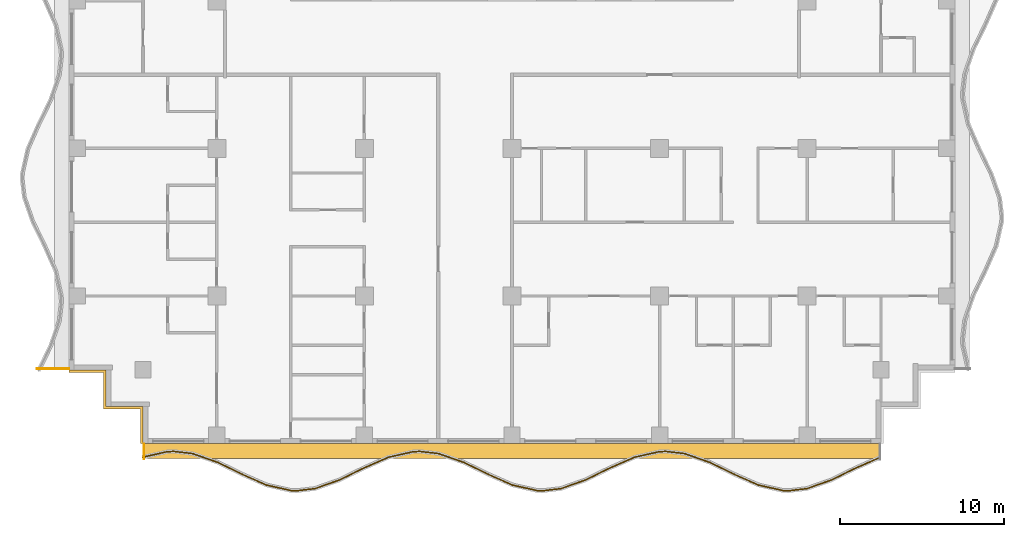
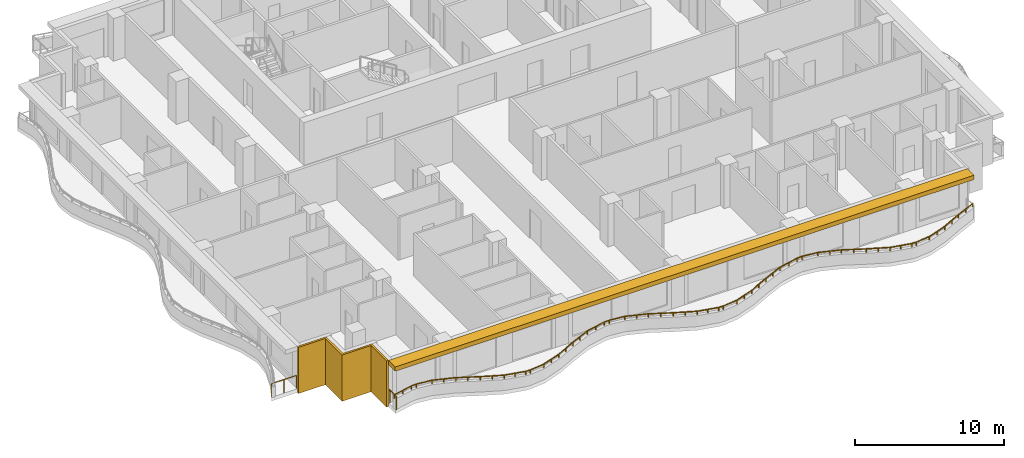
# One storey, part 8 of 11: 3 railings, 2 shading devices.
"""IFC4 building model written with IfcOpenShell, lengths in metres."""

import ifcopenshell
import ifcopenshell.guid

model = None  # the IFC model being written
_history = None  # IfcOwnerHistory: only IFC2X3 demands one
_inside = {}  # id of a spatial element -> (the spatial element, [elements in it])
_under = {}  # id of a project, library or spatial element -> (it, [spatial elements below it])
_declared = {}  # id of a project -> (the project, [libraries it declares])
_typed = {}  # id of a type object -> (the type object, [elements of that type])
_made_of = {}  # id of a material, layer set ... -> (it, [elements and type objects made of it])


def new_model(schema):
    """Start an empty IFC model of exactly this schema.

    Asked for "IFC4X3", IfcOpenShell would pick the latest addendum, in which some entities
    have other attributes; the version numbers below select the first issue.
    IFC2X3 requires an IfcOwnerHistory on every rooted entity: one is made here for all.
    """
    global model, _history
    if schema == "IFC4X3":
        model = ifcopenshell.file(schema_version=(4, 3, 0, 0))
    else:
        model = ifcopenshell.file(schema=schema)
    _inside.clear()
    _under.clear()
    _declared.clear()
    _typed.clear()
    _made_of.clear()
    _history = None
    if model.schema == "IFC2X3":
        org = make("IfcOrganization", Name="unknown")
        user = make(
            "IfcPersonAndOrganization",
            ThePerson=make("IfcPerson", FamilyName="unknown"),
            TheOrganization=org,
        )
        app = make(
            "IfcApplication",
            ApplicationDeveloper=org,
            Version="unknown",
            ApplicationFullName="unknown",
            ApplicationIdentifier="unknown",
        )
        _history = make(
            "IfcOwnerHistory",
            OwningUser=user,
            OwningApplication=app,
            ChangeAction="ADDED",
            CreationDate=0,
        )
    return model


def make(cls, **values):
    """One entity of the class cls with the attributes given. An attribute that is None is left unset."""
    return model.create_entity(
        cls, **{name: value for name, value in values.items() if value is not None}
    )


def rooted(cls, **values):
    """An entity with a GlobalId (a new one), such as an element, a storey or a relation."""
    return make(cls, GlobalId=ifcopenshell.guid.new(), OwnerHistory=_history, **values)


def si_unit(unit_type, name, prefix=None):
    """IfcSIUnit, for example si_unit("LENGTHUNIT", "METRE", prefix="MILLI")."""
    return make("IfcSIUnit", UnitType=unit_type, Prefix=prefix, Name=name)


def assignment(units):
    """IfcUnitAssignment: the units of a project."""
    return None if units is None else make("IfcUnitAssignment", Units=units)


def point(xyz):
    """IfcCartesianPoint."""
    return None if xyz is None else make("IfcCartesianPoint", Coordinates=xyz)


def direction(xyz):
    """IfcDirection."""
    return None if xyz is None else make("IfcDirection", DirectionRatios=xyz)


def frame(location, z_axis=None, x_axis=None):
    """IfcAxis2Placement3D, a coordinate frame: its origin and axes. An axis left out is left unset."""
    return make(
        "IfcAxis2Placement3D",
        Location=point(location),
        Axis=direction(z_axis),
        RefDirection=direction(x_axis),
    )


def frame_2d(location, x_axis=None):
    """IfcAxis2Placement2D, a coordinate frame in the plane: its origin and x axis."""
    return make(
        "IfcAxis2Placement2D", Location=point(location), RefDirection=direction(x_axis)
    )


def origin():
    """The frame at (0, 0, 0) with its axes left unset."""
    return frame((0.0, 0.0, 0.0))


def origin_2d():
    """The frame at (0, 0) in the plane with its x axis left unset."""
    return frame_2d((0.0, 0.0))


def place(relative_to, where):
    """IfcLocalPlacement: puts the frame where relative to a parent placement (None: the world)."""
    return make(
        "IfcLocalPlacement", PlacementRelTo=relative_to, RelativePlacement=where
    )


def context(
    kind, dimensions, precision=None, world=None, true_north=None, identifier=None
):
    """IfcGeometricRepresentationContext, for example the 3D "Model" context."""
    return make(
        "IfcGeometricRepresentationContext",
        ContextIdentifier=identifier,
        ContextType=kind,
        CoordinateSpaceDimension=dimensions,
        Precision=precision,
        WorldCoordinateSystem=world,
        TrueNorth=true_north,
    )


def subcontext(parent, identifier, kind, view, scale=None):
    """IfcGeometricRepresentationSubContext, for example "Body" below "Model"."""
    return make(
        "IfcGeometricRepresentationSubContext",
        ContextIdentifier=identifier,
        ContextType=kind,
        ParentContext=parent,
        TargetScale=scale,
        TargetView=view,
    )


def project(units=None, contexts=None):
    """IfcProject with its units and contexts."""
    return rooted(
        "IfcProject",
        Name="project",
        RepresentationContexts=contexts,
        UnitsInContext=assignment(units),
    )


def spatial(cls, under=None, at=None, **own):
    """A site, building, storey or space (cls), placed at a placement, below another one or the project."""
    s = rooted(cls, ObjectPlacement=at, **own)
    if under is not None:
        _under.setdefault(under.id(), (under, []))[1].append(s)
    return s


def polyline(points):
    """IfcPolyline through the points."""
    return make("IfcPolyline", Points=[point(p) for p in points])


def profile(cls, at=None, kind="AREA", **sizes):
    """A parametric profile (cls). Its sizes go by their IFC names, for example OverallWidth=200.0."""
    return make(cls, ProfileType=kind, Position=at, **sizes)


def rectangle(**sizes):
    """IfcRectangleProfileDef."""
    return profile("IfcRectangleProfileDef", **sizes)


def outline(outer, holes=None, kind="AREA"):
    """IfcArbitraryClosedProfileDef: a profile drawn as a closed curve; with holes, ...WithVoids."""
    if holes is None:
        return make("IfcArbitraryClosedProfileDef", ProfileType=kind, OuterCurve=outer)
    return make(
        "IfcArbitraryProfileDefWithVoids",
        ProfileType=kind,
        OuterCurve=outer,
        InnerCurves=holes,
    )


def extrude(swept, where, along, depth):
    """IfcExtrudedAreaSolid: the profile swept, set in the frame where, extruded along a direction by depth."""
    return make(
        "IfcExtrudedAreaSolid",
        SweptArea=swept,
        Position=where,
        ExtrudedDirection=direction(along),
        Depth=depth,
    )


def shape(context_of_items, identifier, shape_type, items):
    """IfcShapeRepresentation: the items that make up one representation, for example the "Body"."""
    return make(
        "IfcShapeRepresentation",
        ContextOfItems=context_of_items,
        RepresentationIdentifier=identifier,
        RepresentationType=shape_type,
        Items=items,
    )


def material(Name=None, Category=None):
    """IfcMaterial."""
    return make("IfcMaterial", Name=Name, Category=Category)


def layer(
    of_material, thickness, ventilated=None, Name=None, Category=None, Priority=None
):
    """IfcMaterialLayer: one layer of a wall or slab, of a material (None: an air gap)."""
    return make(
        "IfcMaterialLayer",
        Material=of_material,
        LayerThickness=thickness,
        IsVentilated=ventilated,
        Name=Name,
        Category=Category,
        Priority=Priority,
    )


def layer_set(layers, Name=None):
    """IfcMaterialLayerSet."""
    return make("IfcMaterialLayerSet", MaterialLayers=layers, LayerSetName=Name)


def made_of(thing, what):
    """Note that an element or type object is made of a material, layer set ...; save() writes the relation."""
    if what is not None:
        _made_of.setdefault(what.id(), (what, []))[1].append(thing)
    return thing


def type_object(cls, material=None, **own):
    """A type object (cls), such as IfcWallType, which elements share."""
    return made_of(rooted(cls, **own), material)


def element(
    cls,
    number,
    at=None,
    inside=None,
    cuts=None,
    type_object=None,
    material=None,
    context=None,
    identifier="Body",
    shape_type=None,
    held_by="IfcProductDefinitionShape",
    body=None,
    shapes=None,
    **own,
):
    """One element of the class cls, such as IfcWall. Its Tag is "e" and its number.

    at: its placement. inside: the storey or other place that contains it. cuts: it is an
    opening in that element (IfcRelVoidsElement). A single representation is given by context,
    identifier, shape_type and body (its items); several are given by shapes. held_by: the class
    of the entity that holds the representations. save() writes the other relations.
    """
    e = rooted(cls, Tag="e%d" % number, ObjectPlacement=at, **own)
    if body is not None:
        shapes = [shape(context, identifier, shape_type, body)]
    if shapes is not None:
        e.Representation = make(held_by, Representations=shapes)
    if inside is not None:
        _inside.setdefault(inside.id(), (inside, []))[1].append(e)
    if cuts is not None:
        rooted(
            "IfcRelVoidsElement", RelatingBuildingElement=cuts, RelatedOpeningElement=e
        )
    if type_object is not None:
        _typed.setdefault(type_object.id(), (type_object, []))[1].append(e)
    return made_of(e, material)


def aggregate(whole, parts):
    """IfcRelAggregates: a whole, such as a stair, and the parts it consists of."""
    return rooted("IfcRelAggregates", RelatingObject=whole, RelatedObjects=parts)


def save(model, path):
    """Write the relations noted so far, then the file.

    IfcRelAggregates (storeys below a building ...), IfcRelContainedInSpatialStructure (elements
    in a storey), IfcRelDefinesByType, IfcRelAssociatesMaterial and IfcRelDeclares: one each for
    every whole, place, type object, material and project.
    """
    for whole, parts in _under.values():
        aggregate(whole, parts)
    for where, things in _inside.values():
        rooted(
            "IfcRelContainedInSpatialStructure",
            RelatedElements=things,
            RelatingStructure=where,
        )
    for kind, things in _typed.values():
        rooted("IfcRelDefinesByType", RelatedObjects=things, RelatingType=kind)
    for what, things in _made_of.values():
        rooted("IfcRelAssociatesMaterial", RelatedObjects=things, RelatingMaterial=what)
    for by, libraries in _declared.values():
        rooted("IfcRelDeclares", RelatingContext=by, RelatedDefinitions=libraries)
    model.write(path)


model = new_model("IFC4")

# Units and contexts
model_context = context("Model", 3, precision=1e-05, world=origin(), true_north=direction((0.0, 1.0)))
body_context = subcontext(model_context, "Body", "Model", "MODEL_VIEW")
ifc_project = project(units=[si_unit("LENGTHUNIT", "METRE"), si_unit("AREAUNIT", "SQUARE_METRE"), si_unit("VOLUMEUNIT", "CUBIC_METRE"), si_unit("PLANEANGLEUNIT", "RADIAN"), si_unit("MASSUNIT", "GRAM", prefix="KILO")], contexts=[model_context])

# Site, building, storey
site_placement = place(None, origin())
site = spatial("IfcSite", under=ifc_project, at=site_placement, CompositionType="ELEMENT")
building_placement = place(site_placement, origin())
building = spatial("IfcBuilding", under=site, at=building_placement, Name="Orbiselva Terraces", CompositionType="ELEMENT")
storey_placement = place(building_placement, frame((0.0, 0.0, 199.6)))
storey = spatial("IfcBuildingStorey", under=building, at=storey_placement, Name="L50", CompositionType="ELEMENT", Elevation=199.6)

# Railings
ifc_material_1 = material(Name="Bonded two-ply safety glass balustrade, stainless steel posts", Category="steel")
railing_type_1 = type_object("IfcRailingType", Name="ENV-BALUSTRADE-1200", PredefinedType="BALUSTRADE", material=ifc_material_1)
railing_1_placement = place(storey_placement, frame((-22.527377, -23.329507, 0.9)))
element("IfcRailing", 1, at=railing_1_placement, inside=storey, type_object=railing_type_1, Name="Balcony balustrade L50 S", PredefinedType="BALUSTRADE", context=body_context, shape_type="SweptSolid", body=[
    extrude(outline(polyline([(0.028868, 0.0), (0.014434, 0.025), (-0.014434, 0.025), (-0.028868, 0.0), (-0.014434, -0.025), (0.014434, -0.025), (0.028868, 0.0)])), frame((0.0, 0.0, 0.275), z_axis=(0.97572138316, 0.219015484484, 0.0), x_axis=(-0.219015484484, 0.97572138316, 0.0)), (0.0, 0.0, 1.0), 1.548694),
    extrude(outline(polyline([(0.028868, 0.0), (0.014434, 0.025), (-0.014434, 0.025), (-0.028868, 0.0), (-0.014434, -0.025), (0.014434, -0.025), (0.028868, 0.0)])), frame((1.511094, 0.339188, 0.275), z_axis=(0.999224734286, 0.03936915532, 0.0), x_axis=(-0.03936915532, 0.999224734286, 0.0)), (0.0, 0.0, 1.0), 0.396376),
    extrude(outline(polyline([(0.028868, 0.0), (0.014434, 0.025), (-0.014434, 0.025), (-0.028868, 0.0), (-0.014434, -0.025), (0.014434, -0.025), (0.028868, 0.0)])), frame((1.907163, 0.354793, 0.275), z_axis=(0.993309551734, -0.115482182324, 0.0), x_axis=(0.115482182324, 0.993309551734, 0.0)), (0.0, 0.0, 1.0), 1.156135),
    extrude(outline(polyline([(0.028868, 0.0), (0.014434, 0.025), (-0.014434, 0.025), (-0.028868, 0.0), (-0.014434, -0.025), (0.014434, -0.025), (0.028868, 0.0)])), frame((3.055563, 0.22128, 0.275), z_axis=(0.943972332783, -0.330024597479, 0.0), x_axis=(0.330024597479, 0.943972332783, 0.0)), (0.0, 0.0, 1.0), 1.610253),
    extrude(outline(polyline([(0.028868, 0.0), (0.014434, 0.025), (-0.014434, 0.025), (-0.028868, 0.0), (-0.014434, -0.025), (0.014434, -0.025), (0.028868, 0.0)])), frame((4.575597, -0.310143, 0.275), z_axis=(0.898578870221, -0.438812048596, 0.0), x_axis=(0.438812048596, 0.898578870221, 0.0)), (0.0, 0.0, 1.0), 1.674225),
    extrude(outline(polyline([(0.028868, 0.0), (0.014434, 0.025), (-0.014434, 0.025), (-0.028868, 0.0), (-0.014434, -0.025), (0.014434, -0.025), (0.028868, 0.0)])), frame((6.08002, -1.044813, 0.275), z_axis=(0.915133363686, -0.403151245402, 0.0), x_axis=(0.403151245402, 0.915133363686, 0.0)), (0.0, 0.0, 1.0), 1.624475),
    extrude(outline(polyline([(0.028868, 0.0), (0.014434, 0.025), (-0.014434, 0.025), (-0.028868, 0.0), (-0.014434, -0.025), (0.014434, -0.025), (0.028868, 0.0)])), frame((7.566631, -1.699722, 0.275), z_axis=(0.975721325753, -0.219015740235, 0.0), x_axis=(0.219015740235, 0.975721325753, 0.0)), (0.0, 0.0, 1.0), 1.513782),
    extrude(outline(polyline([(0.028868, 0.0), (0.014434, 0.025), (-0.014434, 0.025), (-0.028868, 0.0), (-0.014434, -0.025), (0.014434, -0.025), (0.028868, 0.0)])), frame((9.04366, -2.031264, 0.275), z_axis=(0.999224931454, -0.039364150694, 0.0), x_axis=(0.039364150694, 0.999224931454, 0.0)), (0.0, 0.0, 1.0), 0.354206),
    extrude(outline(polyline([(0.028868, 0.0), (0.014434, 0.025), (-0.014434, 0.025), (-0.028868, 0.0), (-0.014434, -0.025), (0.014434, -0.025), (0.028868, 0.0)])), frame((9.397591, -2.045207, 0.275), z_axis=(0.993309658409, 0.115481264762, 0.0), x_axis=(-0.115481264762, 0.993309658409, 0.0)), (0.0, 0.0, 1.0), 1.10902),
    extrude(outline(polyline([(0.028868, 0.0), (0.014434, 0.025), (-0.014434, 0.025), (-0.028868, 0.0), (-0.014434, -0.025), (0.014434, -0.025), (0.028868, 0.0)])), frame((10.499191, -1.917136, 0.275), z_axis=(0.943972277814, 0.330024754707, 0.0), x_axis=(-0.330024754707, 0.943972277814, 0.0)), (0.0, 0.0, 1.0), 1.567807),
    extrude(outline(polyline([(0.028868, 0.0), (0.014434, 0.025), (-0.014434, 0.025), (-0.028868, 0.0), (-0.014434, -0.025), (0.014434, -0.025), (0.028868, 0.0)])), frame((11.979157, -1.399721, 0.275), z_axis=(0.89857890432, 0.438811978768, 0.0), x_axis=(-0.438811978768, 0.89857890432, 0.0)), (0.0, 0.0, 1.0), 1.66438),
    extrude(outline(polyline([(0.028868, 0.0), (0.014434, 0.025), (-0.014434, 0.025), (-0.028868, 0.0), (-0.014434, -0.025), (0.014434, -0.025), (0.028868, 0.0)])), frame((13.474734, -0.669371, 0.275), z_axis=(0.915133527237, 0.403150874148, 0.0), x_axis=(-0.403150874148, 0.915133527237, 0.0)), (0.0, 0.0, 1.0), 1.653736),
    extrude(outline(polyline([(0.028868, 0.0), (0.014434, 0.025), (-0.014434, 0.025), (-0.028868, 0.0), (-0.014434, -0.025), (0.014434, -0.025), (0.028868, 0.0)])), frame((14.988123, -0.002666, 0.275), z_axis=(0.97572137947, 0.219015500924, 0.0), x_axis=(-0.219015500924, 0.97572137947, 0.0)), (0.0, 0.0, 1.0), 1.560867),
    extrude(outline(polyline([(0.028868, 0.0), (0.014434, 0.025), (-0.014434, 0.025), (-0.028868, 0.0), (-0.014434, -0.025), (0.014434, -0.025), (0.028868, 0.0)])), frame((16.511094, 0.339188, 0.275), z_axis=(0.999224734286, 0.03936915532, 0.0), x_axis=(-0.03936915532, 0.999224734286, 0.0)), (0.0, 0.0, 1.0), 0.396376),
    extrude(outline(polyline([(0.028868, 0.0), (0.014434, 0.025), (-0.014434, 0.025), (-0.028868, 0.0), (-0.014434, -0.025), (0.014434, -0.025), (0.028868, 0.0)])), frame((16.907163, 0.354793, 0.275), z_axis=(0.993309551734, -0.115482182324, 0.0), x_axis=(0.115482182324, 0.993309551734, 0.0)), (0.0, 0.0, 1.0), 1.156135),
    extrude(outline(polyline([(0.028868, 0.0), (0.014434, 0.025), (-0.014434, 0.025), (-0.028868, 0.0), (-0.014434, -0.025), (0.014434, -0.025), (0.028868, 0.0)])), frame((18.055563, 0.22128, 0.275), z_axis=(0.943972332783, -0.330024597479, 0.0), x_axis=(0.330024597479, 0.943972332783, 0.0)), (0.0, 0.0, 1.0), 1.610253),
    extrude(outline(polyline([(0.028868, 0.0), (0.014434, 0.025), (-0.014434, 0.025), (-0.028868, 0.0), (-0.014434, -0.025), (0.014434, -0.025), (0.028868, 0.0)])), frame((19.575597, -0.310143, 0.275), z_axis=(0.898578870221, -0.438812048596, 0.0), x_axis=(0.438812048596, 0.898578870221, 0.0)), (0.0, 0.0, 1.0), 1.674225),
    extrude(outline(polyline([(0.028868, 0.0), (0.014434, 0.025), (-0.014434, 0.025), (-0.028868, 0.0), (-0.014434, -0.025), (0.014434, -0.025), (0.028868, 0.0)])), frame((21.08002, -1.044813, 0.275), z_axis=(0.915133363686, -0.403151245402, 0.0), x_axis=(0.403151245402, 0.915133363686, 0.0)), (0.0, 0.0, 1.0), 1.624475),
    extrude(outline(polyline([(0.028868, 0.0), (0.014434, 0.025), (-0.014434, 0.025), (-0.028868, 0.0), (-0.014434, -0.025), (0.014434, -0.025), (0.028868, 0.0)])), frame((22.566631, -1.699722, 0.275), z_axis=(0.975721325753, -0.219015740235, 0.0), x_axis=(0.219015740235, 0.975721325753, 0.0)), (0.0, 0.0, 1.0), 1.513782),
    extrude(outline(polyline([(0.028868, 0.0), (0.014434, 0.025), (-0.014434, 0.025), (-0.028868, 0.0), (-0.014434, -0.025), (0.014434, -0.025), (0.028868, 0.0)])), frame((24.04366, -2.031264, 0.275), z_axis=(0.999224931454, -0.039364150694, 0.0), x_axis=(0.039364150694, 0.999224931454, 0.0)), (0.0, 0.0, 1.0), 0.354206),
    extrude(outline(polyline([(0.028868, 0.0), (0.014434, 0.025), (-0.014434, 0.025), (-0.028868, 0.0), (-0.014434, -0.025), (0.014434, -0.025), (0.028868, 0.0)])), frame((24.397591, -2.045207, 0.275), z_axis=(0.993309658409, 0.115481264762, 0.0), x_axis=(-0.115481264762, 0.993309658409, 0.0)), (0.0, 0.0, 1.0), 1.10902),
    extrude(outline(polyline([(0.028868, 0.0), (0.014434, 0.025), (-0.014434, 0.025), (-0.028868, 0.0), (-0.014434, -0.025), (0.014434, -0.025), (0.028868, 0.0)])), frame((25.499191, -1.917136, 0.275), z_axis=(0.943972277814, 0.330024754707, 0.0), x_axis=(-0.330024754707, 0.943972277814, 0.0)), (0.0, 0.0, 1.0), 1.567807),
    extrude(outline(polyline([(0.028868, 0.0), (0.014434, 0.025), (-0.014434, 0.025), (-0.028868, 0.0), (-0.014434, -0.025), (0.014434, -0.025), (0.028868, 0.0)])), frame((26.979157, -1.399721, 0.275), z_axis=(0.89857890432, 0.438811978768, 0.0), x_axis=(-0.438811978768, 0.89857890432, 0.0)), (0.0, 0.0, 1.0), 1.66438),
    extrude(outline(polyline([(0.028868, 0.0), (0.014434, 0.025), (-0.014434, 0.025), (-0.028868, 0.0), (-0.014434, -0.025), (0.014434, -0.025), (0.028868, 0.0)])), frame((28.474734, -0.669371, 0.275), z_axis=(0.915133527237, 0.403150874148, 0.0), x_axis=(-0.403150874148, 0.915133527237, 0.0)), (0.0, 0.0, 1.0), 1.653736),
    extrude(outline(polyline([(0.028868, 0.0), (0.014434, 0.025), (-0.014434, 0.025), (-0.028868, 0.0), (-0.014434, -0.025), (0.014434, -0.025), (0.028868, 0.0)])), frame((29.988123, -0.002666, 0.275), z_axis=(0.97572137947, 0.219015500924, 0.0), x_axis=(-0.219015500924, 0.97572137947, 0.0)), (0.0, 0.0, 1.0), 1.560867),
    extrude(outline(polyline([(0.028868, 0.0), (0.014434, 0.025), (-0.014434, 0.025), (-0.028868, 0.0), (-0.014434, -0.025), (0.014434, -0.025), (0.028868, 0.0)])), frame((31.511094, 0.339188, 0.275), z_axis=(0.999224734286, 0.03936915532, 0.0), x_axis=(-0.03936915532, 0.999224734286, 0.0)), (0.0, 0.0, 1.0), 0.396376),
    extrude(outline(polyline([(0.028868, 0.0), (0.014434, 0.025), (-0.014434, 0.025), (-0.028868, 0.0), (-0.014434, -0.025), (0.014434, -0.025), (0.028868, 0.0)])), frame((31.907163, 0.354793, 0.275), z_axis=(0.993309551734, -0.115482182324, 0.0), x_axis=(0.115482182324, 0.993309551734, 0.0)), (0.0, 0.0, 1.0), 1.156135),
    extrude(outline(polyline([(0.028868, 0.0), (0.014434, 0.025), (-0.014434, 0.025), (-0.028868, 0.0), (-0.014434, -0.025), (0.014434, -0.025), (0.028868, 0.0)])), frame((33.055563, 0.22128, 0.275), z_axis=(0.943972332783, -0.330024597479, 0.0), x_axis=(0.330024597479, 0.943972332783, 0.0)), (0.0, 0.0, 1.0), 1.610253),
    extrude(outline(polyline([(0.028868, 0.0), (0.014434, 0.025), (-0.014434, 0.025), (-0.028868, 0.0), (-0.014434, -0.025), (0.014434, -0.025), (0.028868, 0.0)])), frame((34.575597, -0.310143, 0.275), z_axis=(0.898578870221, -0.438812048596, 0.0), x_axis=(0.438812048596, 0.898578870221, 0.0)), (0.0, 0.0, 1.0), 1.674225),
    extrude(outline(polyline([(0.028868, 0.0), (0.014434, 0.025), (-0.014434, 0.025), (-0.028868, 0.0), (-0.014434, -0.025), (0.014434, -0.025), (0.028868, 0.0)])), frame((36.08002, -1.044813, 0.275), z_axis=(0.915133363686, -0.403151245402, 0.0), x_axis=(0.403151245402, 0.915133363686, 0.0)), (0.0, 0.0, 1.0), 1.624475),
    extrude(outline(polyline([(0.028868, 0.0), (0.014434, 0.025), (-0.014434, 0.025), (-0.028868, 0.0), (-0.014434, -0.025), (0.014434, -0.025), (0.028868, 0.0)])), frame((37.566631, -1.699722, 0.275), z_axis=(0.975721325753, -0.219015740235, 0.0), x_axis=(0.219015740235, 0.975721325753, 0.0)), (0.0, 0.0, 1.0), 1.513782),
    extrude(outline(polyline([(0.028868, 0.0), (0.014434, 0.025), (-0.014434, 0.025), (-0.028868, 0.0), (-0.014434, -0.025), (0.014434, -0.025), (0.028868, 0.0)])), frame((39.04366, -2.031264, 0.275), z_axis=(0.999224931454, -0.039364150694, 0.0), x_axis=(0.039364150694, 0.999224931454, 0.0)), (0.0, 0.0, 1.0), 0.354206),
    extrude(outline(polyline([(0.028868, 0.0), (0.014434, 0.025), (-0.014434, 0.025), (-0.028868, 0.0), (-0.014434, -0.025), (0.014434, -0.025), (0.028868, 0.0)])), frame((39.397591, -2.045207, 0.275), z_axis=(0.993309658409, 0.115481264762, 0.0), x_axis=(-0.115481264762, 0.993309658409, 0.0)), (0.0, 0.0, 1.0), 1.10902),
    extrude(outline(polyline([(0.028868, 0.0), (0.014434, 0.025), (-0.014434, 0.025), (-0.028868, 0.0), (-0.014434, -0.025), (0.014434, -0.025), (0.028868, 0.0)])), frame((40.499191, -1.917136, 0.275), z_axis=(0.943972277814, 0.330024754707, 0.0), x_axis=(-0.330024754707, 0.943972277814, 0.0)), (0.0, 0.0, 1.0), 1.567807),
    extrude(outline(polyline([(0.028868, 0.0), (0.014434, 0.025), (-0.014434, 0.025), (-0.028868, 0.0), (-0.014434, -0.025), (0.014434, -0.025), (0.028868, 0.0)])), frame((41.979157, -1.399721, 0.275), z_axis=(0.89857890432, 0.438811978768, 0.0), x_axis=(-0.438811978768, 0.89857890432, 0.0)), (0.0, 0.0, 1.0), 1.66438),
    extrude(outline(polyline([(0.028868, 0.0), (0.014434, 0.025), (-0.014434, 0.025), (-0.028868, 0.0), (-0.014434, -0.025), (0.014434, -0.025), (0.028868, 0.0)])), frame((43.474734, -0.669371, 0.275), z_axis=(0.915133394491, 0.403151175476, 0.0), x_axis=(-0.403151175476, 0.915133394491, 0.0)), (0.0, 0.0, 1.0), 1.641563),
    extrude(rectangle(XDim=0.05, YDim=0.05, at=origin_2d()), origin(), (0.0, 0.0, 1.0), 0.25),
    extrude(rectangle(XDim=0.05, YDim=0.05, at=origin_2d()), frame((0.755547, 0.169594, 0.0)), (0.0, 0.0, 1.0), 0.25),
    extrude(rectangle(XDim=0.05, YDim=0.05, at=origin_2d()), frame((1.511094, 0.339188, 0.0)), (0.0, 0.0, 1.0), 0.25),
    extrude(rectangle(XDim=0.05, YDim=0.05, at=origin_2d()), frame((1.907163, 0.354793, 0.0)), (0.0, 0.0, 1.0), 0.25),
    extrude(rectangle(XDim=0.05, YDim=0.05, at=origin_2d()), frame((3.055563, 0.22128, 0.0)), (0.0, 0.0, 1.0), 0.25),
    extrude(rectangle(XDim=0.05, YDim=0.05, at=origin_2d()), frame((3.81558, -0.044431, 0.0)), (0.0, 0.0, 1.0), 0.25),
    extrude(rectangle(XDim=0.05, YDim=0.05, at=origin_2d()), frame((4.575597, -0.310143, 0.0)), (0.0, 0.0, 1.0), 0.25),
    extrude(rectangle(XDim=0.05, YDim=0.05, at=origin_2d()), frame((5.327809, -0.677478, 0.0)), (0.0, 0.0, 1.0), 0.25),
    extrude(rectangle(XDim=0.05, YDim=0.05, at=origin_2d()), frame((6.08002, -1.044813, 0.0)), (0.0, 0.0, 1.0), 0.25),
    extrude(rectangle(XDim=0.05, YDim=0.05, at=origin_2d()), frame((6.823326, -1.372268, 0.0)), (0.0, 0.0, 1.0), 0.25),
    extrude(rectangle(XDim=0.05, YDim=0.05, at=origin_2d()), frame((7.566631, -1.699722, 0.0)), (0.0, 0.0, 1.0), 0.25),
    extrude(rectangle(XDim=0.05, YDim=0.05, at=origin_2d()), frame((8.305146, -1.865493, 0.0)), (0.0, 0.0, 1.0), 0.25),
    extrude(rectangle(XDim=0.05, YDim=0.05, at=origin_2d()), frame((9.04366, -2.031264, 0.0)), (0.0, 0.0, 1.0), 0.25),
    extrude(rectangle(XDim=0.05, YDim=0.05, at=origin_2d()), frame((9.397591, -2.045207, 0.0)), (0.0, 0.0, 1.0), 0.25),
    extrude(rectangle(XDim=0.05, YDim=0.05, at=origin_2d()), frame((10.499191, -1.917136, 0.0)), (0.0, 0.0, 1.0), 0.25),
    extrude(rectangle(XDim=0.05, YDim=0.05, at=origin_2d()), frame((11.239174, -1.658428, 0.0)), (0.0, 0.0, 1.0), 0.25),
    extrude(rectangle(XDim=0.05, YDim=0.05, at=origin_2d()), frame((11.979157, -1.399721, 0.0)), (0.0, 0.0, 1.0), 0.25),
    extrude(rectangle(XDim=0.05, YDim=0.05, at=origin_2d()), frame((12.726946, -1.034546, 0.0)), (0.0, 0.0, 1.0), 0.25),
    extrude(rectangle(XDim=0.05, YDim=0.05, at=origin_2d()), frame((13.474734, -0.669371, 0.0)), (0.0, 0.0, 1.0), 0.25),
    extrude(rectangle(XDim=0.05, YDim=0.05, at=origin_2d()), frame((14.231429, -0.336019, 0.0)), (0.0, 0.0, 1.0), 0.25),
    extrude(rectangle(XDim=0.05, YDim=0.05, at=origin_2d()), frame((14.988123, -0.002666, 0.0)), (0.0, 0.0, 1.0), 0.25),
    extrude(rectangle(XDim=0.05, YDim=0.05, at=origin_2d()), frame((15.749608, 0.168261, 0.0)), (0.0, 0.0, 1.0), 0.25),
    extrude(rectangle(XDim=0.05, YDim=0.05, at=origin_2d()), frame((16.511094, 0.339188, 0.0)), (0.0, 0.0, 1.0), 0.25),
    extrude(rectangle(XDim=0.05, YDim=0.05, at=origin_2d()), frame((16.907163, 0.354793, 0.0)), (0.0, 0.0, 1.0), 0.25),
    extrude(rectangle(XDim=0.05, YDim=0.05, at=origin_2d()), frame((18.055563, 0.22128, 0.0)), (0.0, 0.0, 1.0), 0.25),
    extrude(rectangle(XDim=0.05, YDim=0.05, at=origin_2d()), frame((18.81558, -0.044431, 0.0)), (0.0, 0.0, 1.0), 0.25),
    extrude(rectangle(XDim=0.05, YDim=0.05, at=origin_2d()), frame((19.575597, -0.310143, 0.0)), (0.0, 0.0, 1.0), 0.25),
    extrude(rectangle(XDim=0.05, YDim=0.05, at=origin_2d()), frame((20.327809, -0.677478, 0.0)), (0.0, 0.0, 1.0), 0.25),
    extrude(rectangle(XDim=0.05, YDim=0.05, at=origin_2d()), frame((21.08002, -1.044813, 0.0)), (0.0, 0.0, 1.0), 0.25),
    extrude(rectangle(XDim=0.05, YDim=0.05, at=origin_2d()), frame((21.823326, -1.372268, 0.0)), (0.0, 0.0, 1.0), 0.25),
    extrude(rectangle(XDim=0.05, YDim=0.05, at=origin_2d()), frame((22.566631, -1.699722, 0.0)), (0.0, 0.0, 1.0), 0.25),
    extrude(rectangle(XDim=0.05, YDim=0.05, at=origin_2d()), frame((23.305146, -1.865493, 0.0)), (0.0, 0.0, 1.0), 0.25),
    extrude(rectangle(XDim=0.05, YDim=0.05, at=origin_2d()), frame((24.04366, -2.031264, 0.0)), (0.0, 0.0, 1.0), 0.25),
    extrude(rectangle(XDim=0.05, YDim=0.05, at=origin_2d()), frame((24.397591, -2.045207, 0.0)), (0.0, 0.0, 1.0), 0.25),
    extrude(rectangle(XDim=0.05, YDim=0.05, at=origin_2d()), frame((25.499191, -1.917136, 0.0)), (0.0, 0.0, 1.0), 0.25),
    extrude(rectangle(XDim=0.05, YDim=0.05, at=origin_2d()), frame((26.239174, -1.658428, 0.0)), (0.0, 0.0, 1.0), 0.25),
    extrude(rectangle(XDim=0.05, YDim=0.05, at=origin_2d()), frame((26.979157, -1.399721, 0.0)), (0.0, 0.0, 1.0), 0.25),
    extrude(rectangle(XDim=0.05, YDim=0.05, at=origin_2d()), frame((27.726946, -1.034546, 0.0)), (0.0, 0.0, 1.0), 0.25),
    extrude(rectangle(XDim=0.05, YDim=0.05, at=origin_2d()), frame((28.474734, -0.669371, 0.0)), (0.0, 0.0, 1.0), 0.25),
    extrude(rectangle(XDim=0.05, YDim=0.05, at=origin_2d()), frame((29.231428, -0.336019, 0.0)), (0.0, 0.0, 1.0), 0.25),
    extrude(rectangle(XDim=0.05, YDim=0.05, at=origin_2d()), frame((29.988123, -0.002666, 0.0)), (0.0, 0.0, 1.0), 0.25),
    extrude(rectangle(XDim=0.05, YDim=0.05, at=origin_2d()), frame((30.749608, 0.168261, 0.0)), (0.0, 0.0, 1.0), 0.25),
    extrude(rectangle(XDim=0.05, YDim=0.05, at=origin_2d()), frame((31.511094, 0.339188, 0.0)), (0.0, 0.0, 1.0), 0.25),
    extrude(rectangle(XDim=0.05, YDim=0.05, at=origin_2d()), frame((31.907163, 0.354793, 0.0)), (0.0, 0.0, 1.0), 0.25),
    extrude(rectangle(XDim=0.05, YDim=0.05, at=origin_2d()), frame((33.055563, 0.22128, 0.0)), (0.0, 0.0, 1.0), 0.25),
    extrude(rectangle(XDim=0.05, YDim=0.05, at=origin_2d()), frame((33.81558, -0.044431, 0.0)), (0.0, 0.0, 1.0), 0.25),
    extrude(rectangle(XDim=0.05, YDim=0.05, at=origin_2d()), frame((34.575597, -0.310143, 0.0)), (0.0, 0.0, 1.0), 0.25),
    extrude(rectangle(XDim=0.05, YDim=0.05, at=origin_2d()), frame((35.327808, -0.677478, 0.0)), (0.0, 0.0, 1.0), 0.25),
    extrude(rectangle(XDim=0.05, YDim=0.05, at=origin_2d()), frame((36.08002, -1.044813, 0.0)), (0.0, 0.0, 1.0), 0.25),
    extrude(rectangle(XDim=0.05, YDim=0.05, at=origin_2d()), frame((36.823326, -1.372268, 0.0)), (0.0, 0.0, 1.0), 0.25),
    extrude(rectangle(XDim=0.05, YDim=0.05, at=origin_2d()), frame((37.566631, -1.699722, 0.0)), (0.0, 0.0, 1.0), 0.25),
    extrude(rectangle(XDim=0.05, YDim=0.05, at=origin_2d()), frame((38.305146, -1.865493, 0.0)), (0.0, 0.0, 1.0), 0.25),
    extrude(rectangle(XDim=0.05, YDim=0.05, at=origin_2d()), frame((39.04366, -2.031264, 0.0)), (0.0, 0.0, 1.0), 0.25),
    extrude(rectangle(XDim=0.05, YDim=0.05, at=origin_2d()), frame((39.397591, -2.045207, 0.0)), (0.0, 0.0, 1.0), 0.25),
    extrude(rectangle(XDim=0.05, YDim=0.05, at=origin_2d()), frame((40.499191, -1.917136, 0.0)), (0.0, 0.0, 1.0), 0.25),
    extrude(rectangle(XDim=0.05, YDim=0.05, at=origin_2d()), frame((41.239174, -1.658428, 0.0)), (0.0, 0.0, 1.0), 0.25),
    extrude(rectangle(XDim=0.05, YDim=0.05, at=origin_2d()), frame((41.979157, -1.399721, 0.0)), (0.0, 0.0, 1.0), 0.25),
    extrude(rectangle(XDim=0.05, YDim=0.05, at=origin_2d()), frame((42.726946, -1.034546, 0.0)), (0.0, 0.0, 1.0), 0.25),
    extrude(rectangle(XDim=0.05, YDim=0.05, at=origin_2d()), frame((43.474734, -0.669371, 0.0)), (0.0, 0.0, 1.0), 0.25),
    extrude(rectangle(XDim=0.05, YDim=0.05, at=origin_2d()), frame((44.225858, -0.338472, 0.0)), (0.0, 0.0, 1.0), 0.25),
    extrude(rectangle(XDim=0.05, YDim=0.05, at=origin_2d()), frame((44.976983, -0.007573, 0.0)), (0.0, 0.0, 1.0), 0.25),
])
ifc_material_2 = material(Name="Stainless steel rail and posts", Category="steel")
railing_type_2 = type_object("IfcRailingType", Name="ENV-GUARD-1105", PredefinedType="BALUSTRADE", material=ifc_material_2)
railing_2_placement = place(storey_placement, frame((-22.44, -23.430416, 0.0)))
element("IfcRailing", 2, at=railing_2_placement, inside=storey, type_object=railing_type_2, Name="Balcony end guard L50 S", PredefinedType="BALUSTRADE", context=body_context, shape_type="SweptSolid", body=[
    extrude(outline(polyline([(0.028868, 0.0), (0.014434, 0.025), (-0.014434, 0.025), (-0.028868, 0.0), (-0.014434, -0.025), (0.014434, -0.025), (0.028868, 0.0)])), frame((0.0, 0.0, 1.08), z_axis=(0.0, 1.0, 0.0), x_axis=(-1.0, 0.0, 0.0)), (0.0, 0.0, 1.0), 0.905416),
    extrude(rectangle(XDim=0.05, YDim=0.05, at=origin_2d()), origin(), (0.0, 0.0, 1.0), 1.055),
    extrude(rectangle(XDim=0.05, YDim=0.05, at=origin_2d()), frame((0.0, 0.905416, 0.0)), (0.0, 0.0, 1.0), 1.055),
])
railing_3_placement = place(storey_placement, frame((-28.957877, -17.94, 0.0)))
element("IfcRailing", 3, at=railing_3_placement, inside=storey, type_object=railing_type_2, Name="Balcony end guard L50 W", PredefinedType="BALUSTRADE", context=body_context, shape_type="SweptSolid", body=[
    extrude(outline(polyline([(0.028868, 0.0), (0.014434, 0.025), (-0.014434, 0.025), (-0.028868, 0.0), (-0.014434, -0.025), (0.014434, -0.025), (0.028868, 0.0)])), frame((0.0, 0.0, 1.08), z_axis=(1.0, 0.0, 0.0), x_axis=(0.0, 1.0, 0.0)), (0.0, 0.0, 1.0), 1.932877),
    extrude(rectangle(XDim=0.05, YDim=0.05, at=origin_2d()), origin(), (0.0, 0.0, 1.0), 1.055),
    extrude(rectangle(XDim=0.05, YDim=0.05, at=origin_2d()), frame((0.966439, 0.0, 0.0)), (0.0, 0.0, 1.0), 1.055),
    extrude(rectangle(XDim=0.05, YDim=0.05, at=origin_2d()), frame((1.932877, 0.0, 0.0)), (0.0, 0.0, 1.0), 1.055),
])

# Shading devices
ifc_material_3 = material(Name="Terracotta louvre screen", Category="masonry")
ifc_layer_1 = layer(ifc_material_3, 0.15)
ifc_layer_set_1 = layer_set([ifc_layer_1], Name="Terracotta louvre screen")
shading_device_type_1 = type_object("IfcShadingDeviceType", Name="ENV-SCREEN-150", PredefinedType="USERDEFINED", material=ifc_layer_set_1)
shading_device_1_placement = place(storey_placement, frame((0.0, 0.0, -0.3)))
element("IfcShadingDevice", 4, at=shading_device_1_placement, inside=storey, type_object=shading_device_type_1, Name="Louvre screen L50 SW", ObjectType="SCREEN", PredefinedType="USERDEFINED", context=body_context, shape_type="SweptSolid", body=[
    extrude(outline(polyline([(-27.0, -18.15), (-24.9, -18.15), (-24.9, -20.4), (-22.65, -20.4), (-22.65, -22.5), (-22.5, -22.5), (-22.5, -20.25), (-24.75, -20.25), (-24.75, -18.0), (-27.0, -18.0), (-27.0, -18.15)])), origin(), (0.0, 0.0, 1.0), 3.8),
])
ifc_material_4 = material(Name="Terracotta baguette sunshade", Category="masonry")
ifc_layer_2 = layer(ifc_material_4, 0.35)
ifc_layer_set_2 = layer_set([ifc_layer_2], Name="Terracotta baguette sunshade")
shading_device_type_2 = type_object("IfcShadingDeviceType", Name="ENV-SUNSHADE-900x350", PredefinedType="USERDEFINED", material=ifc_layer_set_2)
shading_device_2_placement = place(storey_placement, frame((0.0, 0.0, 3.15)))
element("IfcShadingDevice", 5, at=shading_device_2_placement, inside=storey, type_object=shading_device_type_2, Name="Sunshade band L50 S", ObjectType="SUNSHADE", PredefinedType="USERDEFINED", context=body_context, shape_type="SweptSolid", body=[
    extrude(outline(polyline([(-22.5, -23.4), (22.5, -23.4), (22.5, -22.5), (-22.5, -22.5), (-22.5, -23.4)])), origin(), (0.0, 0.0, 1.0), 0.35),
])

save(model, "model.ifc")
